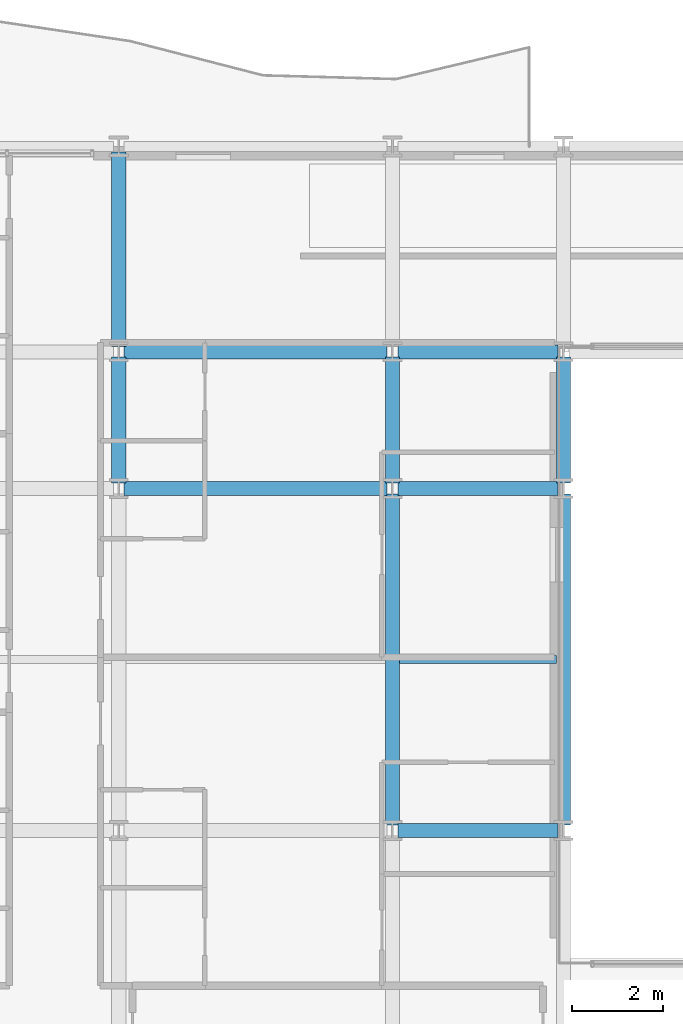
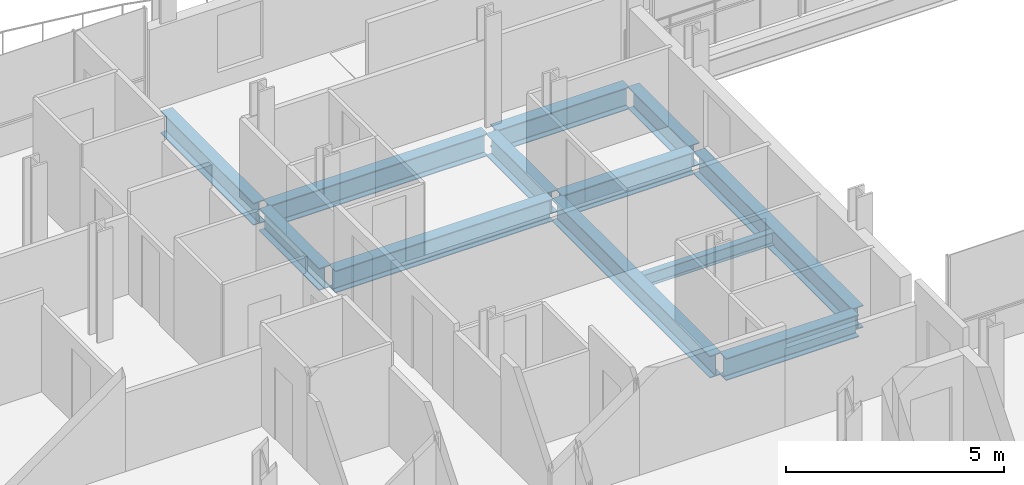
# One storey, part 8 of 41: 12 beams.
"""IFC4 building model written with IfcOpenShell, lengths in metres."""

from ifc_helpers import new_model, si_unit, direction, frame, origin, origin_2d, place, context, subcontext, project, spatial, i_section, extrude, material, material_profile, profile_set, type_object, element, save


model = new_model("IFC4")

# Units and contexts
model_context = context("Model", 3, precision=1e-05, world=origin(), true_north=direction((0.0, 1.0)))
body_context = subcontext(model_context, "Body", "Model", "MODEL_VIEW")
ifc_project = project(units=[si_unit("LENGTHUNIT", "METRE"), si_unit("AREAUNIT", "SQUARE_METRE"), si_unit("VOLUMEUNIT", "CUBIC_METRE"), si_unit("PLANEANGLEUNIT", "RADIAN"), si_unit("MASSUNIT", "GRAM", prefix="KILO")], contexts=[model_context])

# Site, building, storey
site_placement = place(None, origin())
site = spatial("IfcSite", under=ifc_project, at=site_placement, CompositionType="ELEMENT")
building_placement = place(site_placement, origin())
building = spatial("IfcBuilding", under=site, at=building_placement, Name="Brevholm Reach", CompositionType="ELEMENT")
storey_placement = place(building_placement, frame((0.0, 0.0, 93.10009765625)))
storey = spatial("IfcBuildingStorey", under=building, at=storey_placement, Name="L27", CompositionType="ELEMENT", Elevation=93.10009765625)

# Beams
ifc_material_1 = material(Name="Structural Steel S355J2", Category="steel")
ifc_material_profile_1 = material_profile(ifc_material_1, i_section(OverallWidth=0.17138671875, OverallDepth=0.35498046875, WebThickness=0.00732421875, FlangeThickness=0.011474609375, FilletRadius=0.01025390625, at=origin_2d()), Name="UKB 356x171x51")
ifc_profile_set_1 = profile_set([ifc_material_profile_1], Name="Structural Steel S355J2")
beam_type_1 = type_object("IfcBeamType", Name="BM-B356", PredefinedType="BEAM", material=ifc_profile_set_1)
beam_1_placement = place(storey_placement, frame((18.153564453125, 19.75, -0.40771484375), z_axis=(1.0, 0.0, 0.0), x_axis=(0.0, 1.0, 0.0)))
element("IfcBeam", 1, at=beam_1_placement, inside=storey, type_object=beam_type_1, Name="L27 Composite Secondary Floor Beam", PredefinedType="BEAM", context=body_context, shape_type="SweptSolid", body=[
    extrude(i_section(OverallWidth=0.17138671875, OverallDepth=0.35498046875, WebThickness=0.00732421875, FlangeThickness=0.011474609375, FilletRadius=0.01025390625, at=origin_2d()), origin(), (0.0, 0.0, 1.0), 3.44287109375),
])
ifc_material_2 = material(Name="Structural Steel S355J2", Category="steel")
ifc_material_profile_2 = material_profile(ifc_material_2, i_section(OverallWidth=0.30712890625, OverallDepth=0.6201171875, WebThickness=0.01416015625, FlangeThickness=0.023681640625, FilletRadius=0.0166015625, at=origin_2d()), Name="UKB 610x305x179")
ifc_profile_set_2 = profile_set([ifc_material_profile_2], Name="Structural Steel S355J2")
beam_type_2 = type_object("IfcBeamType", Name="BM-UKB610H", PredefinedType="USERDEFINED", material=ifc_profile_set_2)
beam_2_placement = place(storey_placement, frame((18.1201171875, 16.0, -0.540283203125), z_axis=(1.0, 0.0, 0.0), x_axis=(0.0, 1.0, 0.0)))
element("IfcBeam", 2, at=beam_2_placement, inside=storey, type_object=beam_type_2, Name="L27 G-06 Framing Beam", ObjectType="GIRDER", PredefinedType="USERDEFINED", context=body_context, shape_type="SweptSolid", body=[
    extrude(i_section(OverallWidth=0.30712890625, OverallDepth=0.6201171875, WebThickness=0.01416015625, FlangeThickness=0.023681640625, FilletRadius=0.0166015625, at=origin_2d()), origin(), (0.0, 0.0, 1.0), 3.509765625),
])
beam_3_placement = place(storey_placement, frame((12.1201171875, 23.5, -0.540283203125), z_axis=(1.0, 0.0, 0.0), x_axis=(0.0, 1.0, 0.0)))
element("IfcBeam", 3, at=beam_3_placement, inside=storey, type_object=beam_type_2, Name="L27 G-06 Framing Beam", ObjectType="GIRDER", PredefinedType="USERDEFINED", context=body_context, shape_type="SweptSolid", body=[
    extrude(i_section(OverallWidth=0.30712890625, OverallDepth=0.6201171875, WebThickness=0.01416015625, FlangeThickness=0.023681640625, FilletRadius=0.0166015625, at=origin_2d()), origin(), (0.0, 0.0, 1.0), 5.759765625),
])
beam_4_placement = place(storey_placement, frame((18.1201171875, 23.5, -0.540283203125), z_axis=(1.0, 0.0, 0.0), x_axis=(0.0, 1.0, 0.0)))
element("IfcBeam", 4, at=beam_4_placement, inside=storey, type_object=beam_type_2, Name="L27 G-06 Framing Beam", ObjectType="GIRDER", PredefinedType="USERDEFINED", context=body_context, shape_type="SweptSolid", body=[
    extrude(i_section(OverallWidth=0.30712890625, OverallDepth=0.6201171875, WebThickness=0.01416015625, FlangeThickness=0.023681640625, FilletRadius=0.0166015625, at=origin_2d()), origin(), (0.0, 0.0, 1.0), 3.509765625),
])
beam_5_placement = place(storey_placement, frame((12.1201171875, 26.5, -0.540283203125), z_axis=(1.0, 0.0, 0.0), x_axis=(0.0, 1.0, 0.0)))
element("IfcBeam", 5, at=beam_5_placement, inside=storey, type_object=beam_type_2, Name="L27 G-06 Framing Beam", ObjectType="GIRDER", PredefinedType="USERDEFINED", context=body_context, shape_type="SweptSolid", body=[
    extrude(i_section(OverallWidth=0.30712890625, OverallDepth=0.6201171875, WebThickness=0.01416015625, FlangeThickness=0.023681640625, FilletRadius=0.0166015625, at=origin_2d()), origin(), (0.0, 0.0, 1.0), 5.759765625),
])
beam_6_placement = place(storey_placement, frame((18.1201171875, 26.5, -0.540283203125), z_axis=(1.0, 0.0, 0.0), x_axis=(0.0, 1.0, 0.0)))
element("IfcBeam", 6, at=beam_6_placement, inside=storey, type_object=beam_type_2, Name="L27 G-06 Framing Beam", ObjectType="GIRDER", PredefinedType="USERDEFINED", context=body_context, shape_type="SweptSolid", body=[
    extrude(i_section(OverallWidth=0.30712890625, OverallDepth=0.6201171875, WebThickness=0.01416015625, FlangeThickness=0.023681640625, FilletRadius=0.0166015625, at=origin_2d()), origin(), (0.0, 0.0, 1.0), 3.509765625),
])
beam_7_placement = place(storey_placement, frame((12.0, 23.6201171875, -0.540283203125), z_axis=(0.0, 1.0, 0.0), x_axis=(-1.0, 0.0, 0.0)))
element("IfcBeam", 7, at=beam_7_placement, inside=storey, type_object=beam_type_2, Name="L27 G-06 Framing Beam", ObjectType="GIRDER", PredefinedType="USERDEFINED", context=body_context, shape_type="SweptSolid", body=[
    extrude(i_section(OverallWidth=0.30712890625, OverallDepth=0.6201171875, WebThickness=0.01416015625, FlangeThickness=0.023681640625, FilletRadius=0.0166015625, at=origin_2d()), origin(), (0.0, 0.0, 1.0), 2.759765625),
])
beam_8_placement = place(storey_placement, frame((12.0, 26.6201171875, -0.540283203125), z_axis=(0.0, 1.0, 0.0), x_axis=(-1.0, 0.0, 0.0)))
element("IfcBeam", 8, at=beam_8_placement, inside=storey, type_object=beam_type_2, Name="L27 G-06 Framing Beam", ObjectType="GIRDER", PredefinedType="USERDEFINED", context=body_context, shape_type="SweptSolid", body=[
    extrude(i_section(OverallWidth=0.30712890625, OverallDepth=0.6201171875, WebThickness=0.01416015625, FlangeThickness=0.023681640625, FilletRadius=0.0166015625, at=origin_2d()), origin(), (0.0, 0.0, 1.0), 4.259765625),
])
beam_9_placement = place(storey_placement, frame((18.0, 16.1201171875, -0.540283203125), z_axis=(0.0, 1.0, 0.0), x_axis=(-1.0, 0.0, 0.0)))
element("IfcBeam", 9, at=beam_9_placement, inside=storey, type_object=beam_type_2, Name="L27 G-06 Framing Beam", ObjectType="GIRDER", PredefinedType="USERDEFINED", context=body_context, shape_type="SweptSolid", body=[
    extrude(i_section(OverallWidth=0.30712890625, OverallDepth=0.6201171875, WebThickness=0.01416015625, FlangeThickness=0.023681640625, FilletRadius=0.0166015625, at=origin_2d()), origin(), (0.0, 0.0, 1.0), 7.259765625),
])
beam_10_placement = place(storey_placement, frame((18.0, 23.6201171875, -0.540283203125), z_axis=(0.0, 1.0, 0.0), x_axis=(-1.0, 0.0, 0.0)))
element("IfcBeam", 10, at=beam_10_placement, inside=storey, type_object=beam_type_2, Name="L27 G-06 Framing Beam", ObjectType="GIRDER", PredefinedType="USERDEFINED", context=body_context, shape_type="SweptSolid", body=[
    extrude(i_section(OverallWidth=0.30712890625, OverallDepth=0.6201171875, WebThickness=0.01416015625, FlangeThickness=0.023681640625, FilletRadius=0.0166015625, at=origin_2d()), origin(), (0.0, 0.0, 1.0), 2.759765625),
])
beam_11_placement = place(storey_placement, frame((21.75, 16.1201171875, -0.540283203125), z_axis=(0.0, 1.0, 0.0), x_axis=(-1.0, 0.0, 0.0)))
element("IfcBeam", 11, at=beam_11_placement, inside=storey, type_object=beam_type_2, Name="L27 G-06 Framing Beam", ObjectType="GIRDER", PredefinedType="USERDEFINED", context=body_context, shape_type="SweptSolid", body=[
    extrude(i_section(OverallWidth=0.30712890625, OverallDepth=0.6201171875, WebThickness=0.01416015625, FlangeThickness=0.023681640625, FilletRadius=0.0166015625, at=origin_2d()), origin(), (0.0, 0.0, 1.0), 7.259765625),
])
beam_12_placement = place(storey_placement, frame((21.75, 23.6201171875, -0.540283203125), z_axis=(0.0, 1.0, 0.0), x_axis=(-1.0, 0.0, 0.0)))
element("IfcBeam", 12, at=beam_12_placement, inside=storey, type_object=beam_type_2, Name="L27 G-06 Framing Beam", ObjectType="GIRDER", PredefinedType="USERDEFINED", context=body_context, shape_type="SweptSolid", body=[
    extrude(i_section(OverallWidth=0.30712890625, OverallDepth=0.6201171875, WebThickness=0.01416015625, FlangeThickness=0.023681640625, FilletRadius=0.0166015625, at=origin_2d()), origin(), (0.0, 0.0, 1.0), 2.759765625),
])

save(model, "model.ifc")
